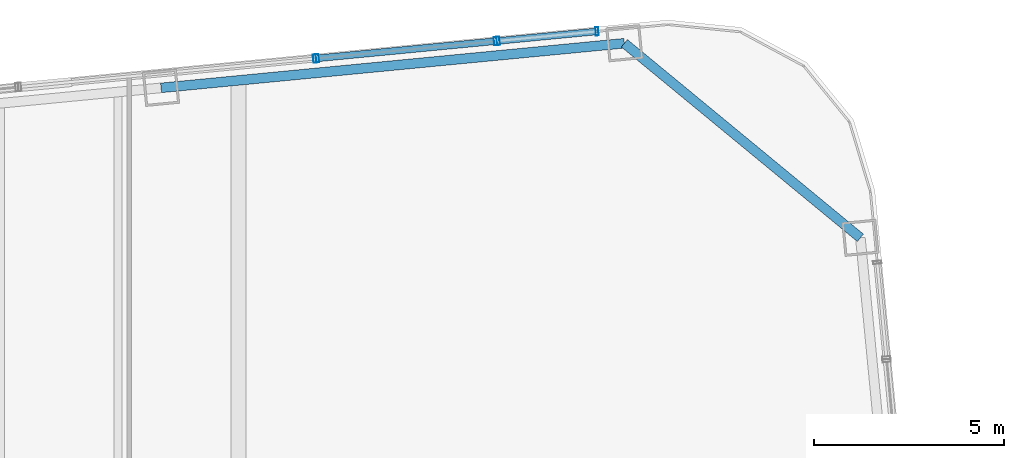
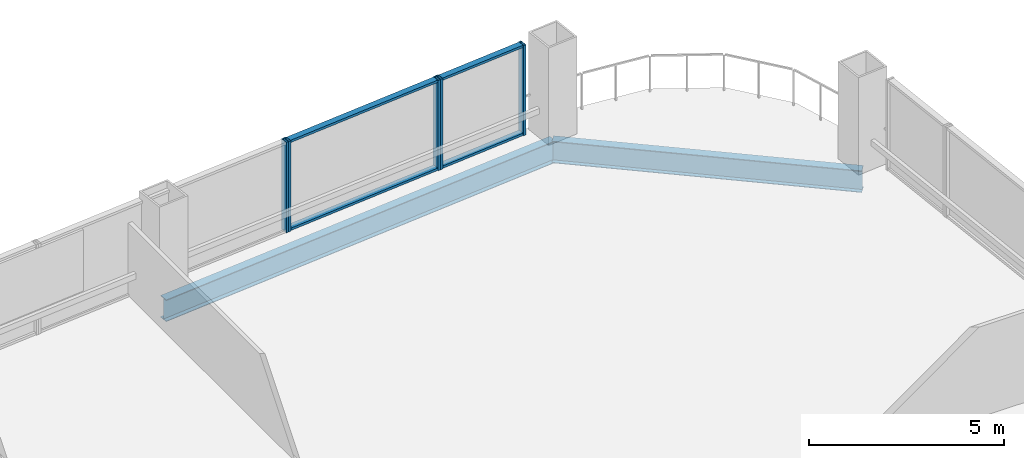
# One storey, part 25 of 32: 9 members, 2 beams, 3 elements without a shape of their own.
"""IFC4 building model written with IfcOpenShell, lengths in metres."""

from ifc_helpers import new_model, si_unit, direction, frame, origin, origin_2d, place, context, subcontext, project, spatial, hollow_rectangle, i_section, extrude, material, layer, layer_set, material_profile, profile_set, type_object, element, aggregate, save


model = new_model("IFC4")

# Units and contexts
model_context = context("Model", 3, precision=1e-05, world=origin(), true_north=direction((0.0, 1.0)))
body_context = subcontext(model_context, "Body", "Model", "MODEL_VIEW")
ifc_project = project(units=[si_unit("LENGTHUNIT", "METRE"), si_unit("AREAUNIT", "SQUARE_METRE"), si_unit("VOLUMEUNIT", "CUBIC_METRE"), si_unit("PLANEANGLEUNIT", "RADIAN"), si_unit("MASSUNIT", "GRAM", prefix="KILO")], contexts=[model_context])

# Site, building, storey
site_placement = place(None, origin())
site = spatial("IfcSite", under=ifc_project, at=site_placement, CompositionType="ELEMENT")
building_placement = place(site_placement, origin())
building = spatial("IfcBuilding", under=site, at=building_placement, Name="Qhalaya Broadcast Tower", CompositionType="ELEMENT")
storey_placement = place(building_placement, frame((0.0, 0.0, 87.75)))
storey = spatial("IfcBuildingStorey", under=building, at=storey_placement, Name="L25", CompositionType="ELEMENT", Elevation=87.75)

# Beams
ifc_material_1 = material(Name="Structural Steel ASTM A992 Grade 50", Category="steel")
ifc_material_profile_1 = material_profile(ifc_material_1, i_section(OverallWidth=0.25390625, OverallDepth=0.68310546875, WebThickness=0.012451171875, FlangeThickness=0.01904296875, at=origin_2d()), Name="W27X94")
ifc_profile_set_1 = profile_set([ifc_material_profile_1], Name="Structural Steel ASTM A992 Grade 50")
beam_type = type_object("IfcBeamType", Name="Perimeter Ring Spandrel Beam SP1", PredefinedType="SPANDREL", material=ifc_profile_set_1)
beam_1_placement = place(storey_placement, frame((25.765380859375, 24.165283203125, -0.5615234375), z_axis=(-0.771633771695, 0.636067073806, 0.0), x_axis=(-0.636067073806, -0.771633771695, 0.0)))
element("IfcBeam", 1, at=beam_1_placement, inside=storey, type_object=beam_type, Name="L25 SP1 L25-SPR-08", PredefinedType="SPANDREL", context=body_context, shape_type="SweptSolid", body=[
    extrude(i_section(OverallWidth=0.25390625, OverallDepth=0.68310546875, WebThickness=0.012451171875, FlangeThickness=0.01904296875, at=origin_2d()), origin(), (0.0, 0.0, 1.0), 8.060791015625),
])
beam_2_placement = place(storey_placement, frame((19.54541015625, 29.29248046875, -0.5615234375), z_axis=(-0.995397535354, -0.095831866369, 0.0), x_axis=(0.095831866369, -0.995397535354, 0.0)))
element("IfcBeam", 2, at=beam_2_placement, inside=storey, type_object=beam_type, Name="L25 SP1 L25-SPR-09", PredefinedType="SPANDREL", context=body_context, shape_type="SweptSolid", body=[
    extrude(i_section(OverallWidth=0.25390625, OverallDepth=0.68310546875, WebThickness=0.012451171875, FlangeThickness=0.01904296875, at=origin_2d()), origin(), (0.0, 0.0, 1.0), 12.2666015625),
])

# Curtain wall, members
ifc_material_2 = material(Name="Fired Architectural Terracotta", Category="masonry")
ifc_layer_1 = layer(ifc_material_2, 0.219970703125, Name="Fired Architectural Terracotta")
ifc_layer_set_1 = layer_set([ifc_layer_1], Name="Fired Architectural Terracotta")
curtain_wall_type_1 = type_object("IfcCurtainWallType", Name="Block-Cap Unitised Terracotta Spandrel Wall CW-07", PredefinedType="NOTDEFINED", material=ifc_layer_set_1)
curtain_wall_1_placement = place(storey_placement, origin())
curtain_wall_1 = element("IfcCurtainWall", 3, at=curtain_wall_1_placement, inside=storey, type_object=curtain_wall_type_1, Name="L25 Unitised Curtain Wall L25-CW-N1", PredefinedType="NOTDEFINED")
ifc_material_3 = material(Name="Anodised Aluminium 6063-T6", Category="aluminium")
ifc_material_profile_2 = material_profile(ifc_material_3, hollow_rectangle(XDim=0.074951171875, YDim=0.219970703125, WallThickness=0.00390625, at=origin_2d()), Name="ALU-MUL 75x220x4")
ifc_profile_set_2 = profile_set([ifc_material_profile_2], Name="Anodised Aluminium 6063-T6")
member_type_1 = type_object("IfcMemberType", Name="Unitised Curtain-Wall Mullion M01", PredefinedType="MULLION", material=ifc_profile_set_2)
member_1_placement = place(storey_placement, frame((18.82470703125, 29.60498046875, 0.0), z_axis=(0.0, 0.0, 1.0), x_axis=(-0.995397033761, -0.095837076227, 0.0)))
member_1 = element("IfcMember", 4, at=member_1_placement, type_object=member_type_1, Name="CW-07 mullion 1", PredefinedType="MULLION", context=body_context, shape_type="SweptSolid", body=[
    extrude(hollow_rectangle(XDim=0.074951171875, YDim=0.219970703125, WallThickness=0.00390625, at=origin_2d()), origin(), (0.0, 0.0, 1.0), 2.830078125),
])
member_2_placement = place(storey_placement, frame((16.2216796875, 29.3544921875, 0.0), z_axis=(0.0, 0.0, 1.0), x_axis=(-0.995397033761, -0.095837076227, 0.0)))
member_2 = element("IfcMember", 5, at=member_2_placement, type_object=member_type_1, Name="CW-07 mullion 2", PredefinedType="MULLION", context=body_context, shape_type="SweptSolid", body=[
    extrude(hollow_rectangle(XDim=0.074951171875, YDim=0.219970703125, WallThickness=0.00390625, at=origin_2d()), origin(), (0.0, 0.0, 1.0), 2.830078125),
])

ifc_material_4 = material(Name="Solar-Control Low-E Triple Glazing", Category="glass")
ifc_layer_2 = layer(ifc_material_4, 0.219970703125, Name="Solar-Control Low-E Triple Glazing")
ifc_layer_set_2 = layer_set([ifc_layer_2], Name="Solar-Control Low-E Triple Glazing")
curtain_wall_type_2 = type_object("IfcCurtainWallType", Name="Even-Block 4-Storey Double-Module Curtain Wall CW-03", PredefinedType="NOTDEFINED", material=ifc_layer_set_2)
curtain_wall_2_placement = place(storey_placement, origin())
curtain_wall_2 = element("IfcCurtainWall", 6, at=curtain_wall_2_placement, inside=storey, type_object=curtain_wall_type_2, Name="L25 Unitised Curtain Wall L25-CW-N2", PredefinedType="NOTDEFINED")
member_3_placement = place(storey_placement, frame((16.14697265625, 29.34716796875, 0.0), z_axis=(0.0, 0.0, 1.0), x_axis=(-0.995394623965, -0.095862101904, 0.0)))
member_3 = element("IfcMember", 7, at=member_3_placement, type_object=member_type_1, Name="CW-03 mullion 1", PredefinedType="MULLION", context=body_context, shape_type="SweptSolid", body=[
    extrude(hollow_rectangle(XDim=0.074951171875, YDim=0.219970703125, WallThickness=0.00390625, at=origin_2d()), origin(), (0.0, 0.0, 1.0), 2.830078125),
])
member_4_placement = place(storey_placement, frame((11.457763671875, 28.8955078125, 0.0), z_axis=(0.0, 0.0, 1.0), x_axis=(-0.995394623965, -0.095862101904, 0.0)))
member_4 = element("IfcMember", 8, at=member_4_placement, type_object=member_type_1, Name="CW-03 mullion 2", PredefinedType="MULLION", context=body_context, shape_type="SweptSolid", body=[
    extrude(hollow_rectangle(XDim=0.074951171875, YDim=0.219970703125, WallThickness=0.00390625, at=origin_2d()), origin(), (0.0, 0.0, 1.0), 2.830078125),
])

# Curtain wall, member
curtain_wall_3_placement = place(storey_placement, origin())
curtain_wall_3 = element("IfcCurtainWall", 9, at=curtain_wall_3_placement, inside=storey, type_object=curtain_wall_type_1, Name="L25 Unitised Curtain Wall L25-CW-N3", PredefinedType="NOTDEFINED")
member_5_placement = place(storey_placement, frame((11.383056640625, 28.888427734375, 0.0), z_axis=(0.0, 0.0, 1.0), x_axis=(-0.995396908899, -0.095838373083, 0.0)))
member_5 = element("IfcMember", 10, at=member_5_placement, type_object=member_type_1, Name="CW-07 mullion 1", PredefinedType="MULLION", context=body_context, shape_type="SweptSolid", body=[
    extrude(hollow_rectangle(XDim=0.074951171875, YDim=0.219970703125, WallThickness=0.00390625, at=origin_2d()), origin(), (0.0, 0.0, 1.0), 2.830078125),
])
aggregate(curtain_wall_3, [member_5])

# Member
ifc_material_profile_3 = material_profile(ifc_material_3, hollow_rectangle(XDim=0.074951171875, YDim=0.179931640625, WallThickness=0.00390625, at=origin_2d()), Name="ALU-TRN 75x180x4")
ifc_profile_set_3 = profile_set([ifc_material_profile_3], Name="Anodised Aluminium 6063-T6")
member_type_2 = type_object("IfcMemberType", Name="Unitised Curtain-Wall Transom T01", PredefinedType="USERDEFINED", material=ifc_profile_set_3)
member_6_placement = place(storey_placement, frame((18.787353515625, 29.601318359375, 0.03759765625), z_axis=(-0.995397751495, -0.095829621306, 0.0), x_axis=(0.0, 0.0, 1.0)))
member_6 = element("IfcMember", 11, at=member_6_placement, type_object=member_type_2, Name="CW-07 transom 1.1", ObjectType="TRANSOM", PredefinedType="USERDEFINED", context=body_context, shape_type="SweptSolid", body=[
    extrude(hollow_rectangle(XDim=0.074951171875, YDim=0.179931640625, WallThickness=0.00390625, at=origin_2d()), origin(), (0.0, 0.0, 1.0), 2.5400390625),
])

member_7_placement = place(storey_placement, frame((18.787353515625, 29.601318359375, 2.79248046875), z_axis=(-0.995397751495, -0.095829621306, 0.0), x_axis=(0.0, 0.0, 1.0)))
member_7 = element("IfcMember", 12, at=member_7_placement, type_object=member_type_2, Name="CW-07 transom 1.2", ObjectType="TRANSOM", PredefinedType="USERDEFINED", context=body_context, shape_type="SweptSolid", body=[
    extrude(hollow_rectangle(XDim=0.074951171875, YDim=0.179931640625, WallThickness=0.00390625, at=origin_2d()), origin(), (0.0, 0.0, 1.0), 2.5400390625),
])

aggregate(curtain_wall_1, [member_1, member_2, member_6, member_7])

member_8_placement = place(storey_placement, frame((16.10986328125, 29.343505859375, 0.03759765625), z_axis=(-0.995396477647, -0.095842852043, 0.0), x_axis=(0.0, 0.0, 1.0)))
member_8 = element("IfcMember", 13, at=member_8_placement, type_object=member_type_2, Name="CW-03 transom 1.1", ObjectType="TRANSOM", PredefinedType="USERDEFINED", context=body_context, shape_type="SweptSolid", body=[
    extrude(hollow_rectangle(XDim=0.074951171875, YDim=0.179931640625, WallThickness=0.00390625, at=origin_2d()), origin(), (0.0, 0.0, 1.0), 4.635986328125),
])

member_9_placement = place(storey_placement, frame((16.10986328125, 29.343505859375, 2.79248046875), z_axis=(-0.995396477647, -0.095842852043, 0.0), x_axis=(0.0, 0.0, 1.0)))
member_9 = element("IfcMember", 14, at=member_9_placement, type_object=member_type_2, Name="CW-03 transom 1.2", ObjectType="TRANSOM", PredefinedType="USERDEFINED", context=body_context, shape_type="SweptSolid", body=[
    extrude(hollow_rectangle(XDim=0.074951171875, YDim=0.179931640625, WallThickness=0.00390625, at=origin_2d()), origin(), (0.0, 0.0, 1.0), 4.635986328125),
])

aggregate(curtain_wall_2, [member_3, member_4, member_8, member_9])

save(model, "model.ifc")
